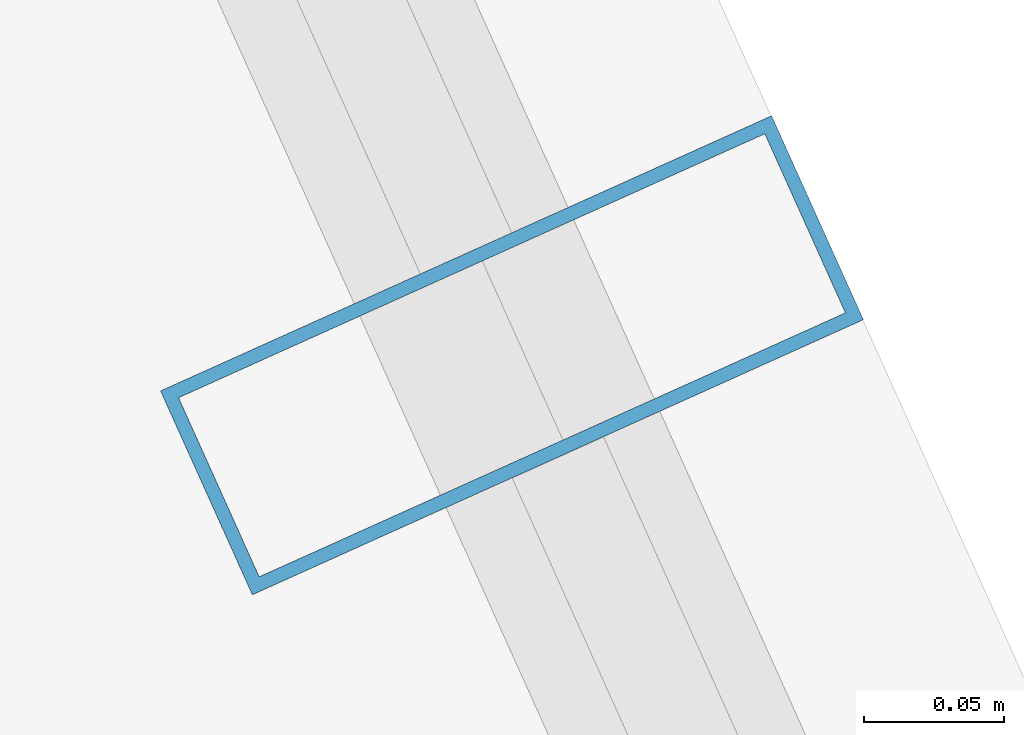
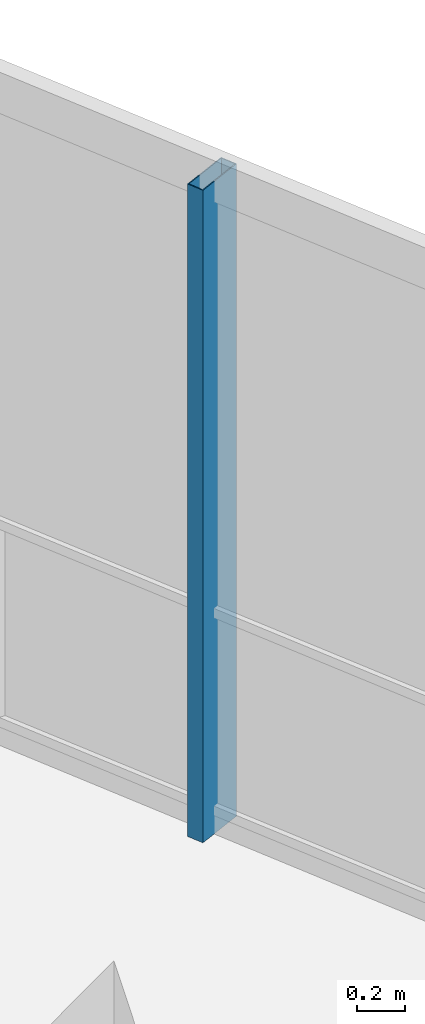
# One storey, part 10 of 18: 1 member, 1 element without a shape of its own.
"""IFC4 building model written with IfcOpenShell, lengths in metres."""

from ifc_helpers import new_model, si_unit, direction, frame, origin, origin_2d, place, context, subcontext, project, spatial, hollow_rectangle, extrude, material, layer, layer_set, material_profile, profile_set, type_object, element, aggregate, save


model = new_model("IFC4")

# Units and contexts
model_context = context("Model", 3, precision=1e-05, world=origin(), true_north=direction((0.0, 1.0)))
body_context = subcontext(model_context, "Body", "Model", "MODEL_VIEW")
ifc_project = project(units=[si_unit("LENGTHUNIT", "METRE"), si_unit("AREAUNIT", "SQUARE_METRE"), si_unit("VOLUMEUNIT", "CUBIC_METRE"), si_unit("PLANEANGLEUNIT", "RADIAN"), si_unit("MASSUNIT", "GRAM", prefix="KILO")], contexts=[model_context])

# Site, building, storey
site_placement = place(None, origin())
site = spatial("IfcSite", under=ifc_project, at=site_placement, CompositionType="ELEMENT")
building_placement = place(site_placement, origin())
building = spatial("IfcBuilding", under=site, at=building_placement, Name="Qarnah Convention Tower", CompositionType="ELEMENT")
storey_placement = place(building_placement, frame((0.0, 0.0, 271.5)))
storey = spatial("IfcBuildingStorey", under=building, at=storey_placement, Name="L73", CompositionType="ELEMENT", Elevation=271.5)

# Curtain wall, member
ifc_material_1 = material(Name="Tempered Low-E dark glass", Category="glass")
ifc_layer = layer(ifc_material_1, 0.176025390625)
ifc_layer_set = layer_set([ifc_layer], Name="Tempered Low-E dark glass")
curtain_wall_type = type_object("IfcCurtainWallType", Name="CWS-05", PredefinedType="NOTDEFINED", material=ifc_layer_set)
curtain_wall_placement = place(storey_placement, origin())
curtain_wall = element("IfcCurtainWall", 1, at=curtain_wall_placement, inside=storey, type_object=curtain_wall_type, Name="L73 unitised curtain wall CW-L73-F2", PredefinedType="NOTDEFINED")
ifc_material_2 = material(Name="Black anodised aluminium", Category="aluminium")
ifc_material_profile = material_profile(ifc_material_2, hollow_rectangle(XDim=0.080078125, YDim=0.239990234375, WallThickness=0.0048828125, at=origin_2d()), Name="MUL-80X240")
ifc_profile_set = profile_set([ifc_material_profile], Name="Black anodised aluminium")
member_type = type_object("IfcMemberType", Name="MUL-T5", PredefinedType="MULLION", material=ifc_profile_set)
member_placement = place(storey_placement, frame((47.31005859375, 39.96826171875, 0.0), z_axis=(0.0, 0.0, 1.0), x_axis=(0.410514882218, -0.911853898099, 0.0)))
member = element("IfcMember", 2, at=member_placement, type_object=member_type, Name="CW-L73-F2 mullion 2", PredefinedType="MULLION", context=body_context, shape_type="SweptSolid", body=[
    extrude(hollow_rectangle(XDim=0.080078125, YDim=0.239990234375, WallThickness=0.0048828125, at=origin_2d()), origin(), (0.0, 0.0, 1.0), 3.320068359375),
])
aggregate(curtain_wall, [member])

save(model, "model.ifc")
